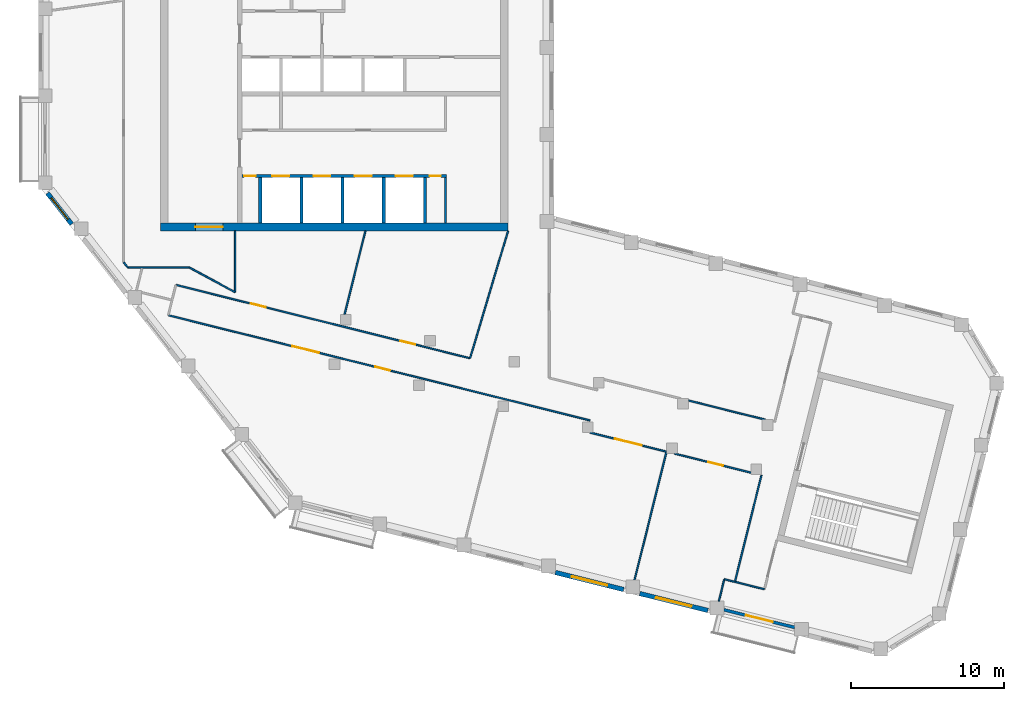
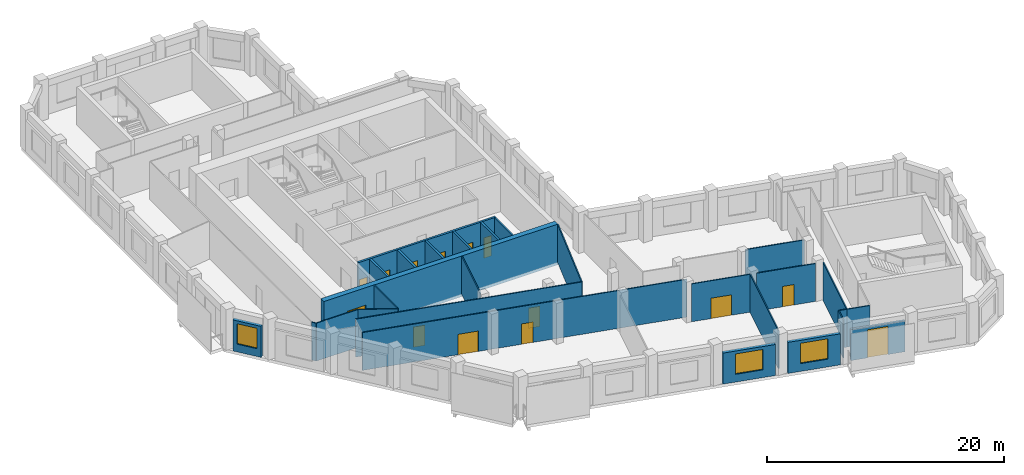
# One storey, part 3 of 8: 28 walls, 14 doors, 3 windows, 17 openings.
"""IFC4 building model written with IfcOpenShell, lengths in metres."""

from ifc_helpers import new_model, si_unit, direction, frame, frame_2d, origin, place, context, subcontext, project, spatial, rectangle, extrude, material, layer, layer_set, type_object, element, fill, save


model = new_model("IFC4")

# Units and contexts
model_context = context("Model", 3, precision=1e-05, world=origin(), true_north=direction((0.0, 1.0)))
body_context = subcontext(model_context, "Body", "Model", "MODEL_VIEW")
ifc_project = project(units=[si_unit("LENGTHUNIT", "METRE"), si_unit("AREAUNIT", "SQUARE_METRE"), si_unit("VOLUMEUNIT", "CUBIC_METRE"), si_unit("PLANEANGLEUNIT", "RADIAN"), si_unit("MASSUNIT", "GRAM", prefix="KILO")], contexts=[model_context])

# Site, building, storey
site_placement = place(None, origin())
site = spatial("IfcSite", under=ifc_project, at=site_placement, CompositionType="ELEMENT")
building_placement = place(site_placement, origin())
building = spatial("IfcBuilding", under=site, at=building_placement, Name="Meshkara Civic Tower", CompositionType="ELEMENT")
storey_placement = place(building_placement, frame((0.0, 0.0, 362.39990234375)))
storey = spatial("IfcBuildingStorey", under=building, at=storey_placement, Name="L83", CompositionType="ELEMENT", Elevation=362.39990234375)

# Wall
ifc_material_1 = material(Name="Blockwork", Category="masonry")
ifc_layer_1 = layer(ifc_material_1, 0.14990234375)
ifc_layer_set_1 = layer_set([ifc_layer_1], Name="Core partition 150")
wall_type_1 = type_object("IfcWallType", Name="Core partition 150", PredefinedType="PARTITIONING", material=ifc_layer_set_1)
wall_1_placement = place(storey_placement, frame((26.699951171875, 14.60009765625, 0.0), z_axis=(0.0, 0.0, 1.0), x_axis=(0.0, 1.0, 0.0)))
element("IfcWall", 1, at=wall_1_placement, inside=storey, type_object=wall_type_1, Name="L83-C025", PredefinedType="PARTITIONING", context=body_context, shape_type="SweptSolid", body=[
    extrude(rectangle(XDim=3.0, YDim=0.14990234375, at=frame_2d((1.5, 0.0))), origin(), (0.0, 0.0, 1.0), 3.900146484375),
])

# Wall, opening, door
ifc_material_2 = material(Name="Concrete C50", Category="concrete")
ifc_layer_2 = layer(ifc_material_2, 0.5)
ifc_layer_set_2 = layer_set([ifc_layer_2], Name="Core ring wall 500 C50")
wall_type_2 = type_object("IfcWallType", Name="Core ring wall 500 C50", PredefinedType="SHEAR", material=ifc_layer_set_2)
wall_2_placement = place(storey_placement, frame((8.0, 14.35009765625, -0.2998046875), z_axis=(0.0, 0.0, 1.0), x_axis=(1.0, 0.0, 0.0)))
wall_2 = element("IfcWall", 2, at=wall_2_placement, inside=storey, type_object=wall_type_2, Name="L83-C001", PredefinedType="SHEAR", context=body_context, shape_type="SweptSolid", body=[
    extrude(rectangle(XDim=22.800048828125, YDim=0.5, at=frame_2d((11.39990234375, 0.0))), origin(), (0.0, 0.0, 1.0), 4.199951171875),
])
opening_1_placement = place(wall_2_placement, frame((2.300048828125, 0.0, 0.300048828125)))
opening_1 = element("IfcOpeningElement", 3, at=opening_1_placement, cuts=wall_2, Name="Opening L83-K023", PredefinedType="OPENING", context=body_context, shape_type="SweptSolid", body=[
    extrude(rectangle(XDim=1.800048828125, YDim=2.10009765625, at=frame_2d((0.89990234375, 1.050048828125))), frame((0.0, 0.260009765625, 0.0), z_axis=(0.0, -1.0, 0.0), x_axis=(1.0, 0.0, 0.0)), (0.0, 0.0, 1.0), 0.52001953125),
])
ifc_material_3 = material(Name="Fire-rated door leaf in steel frame", Category="steel")
door_type_1 = type_object("IfcDoorType", Name="Core double door 1800 EI 60", OperationType="DOUBLE_DOOR_SINGLE_SWING", PredefinedType="DOOR", material=ifc_material_3)
door_1_placement = place(opening_1_placement, origin())
door_1 = element("IfcDoor", 4, at=door_1_placement, inside=storey, type_object=door_type_1, Name="L83-K023", OperationType="DOUBLE_DOOR_SINGLE_SWING", OverallHeight=2.10009765625, OverallWidth=1.800048828125, PredefinedType="DOOR", context=body_context, shape_type="SweptSolid", body=[
    extrude(rectangle(XDim=1.800048828125, YDim=2.10009765625, at=frame_2d((0.89990234375, 1.050048828125))), frame((0.0, 0.02490234375, 0.0), z_axis=(0.0, -1.0, 0.0), x_axis=(1.0, 0.0, 0.0)), (0.0, 0.0, 1.0), 0.050048828125),
])
fill(opening_1, door_1)

# Walls
ifc_material_4 = material(Name="Corridor wall 100")
ifc_layer_3 = layer(ifc_material_4, 0.10009765625)
ifc_layer_set_3 = layer_set([ifc_layer_3], Name="Corridor wall 100")
wall_type_3 = type_object("IfcWallType", Name="Corridor wall 100", PredefinedType="PARTITIONING", material=ifc_layer_set_3)
wall_3_placement = place(storey_placement, frame((5.60009765625, 12.0439453125, 0.0), z_axis=(0.0, 0.0, 1.0), x_axis=(0.614328236968, -0.789050579661, 0.0)))
element("IfcWall", 5, at=wall_3_placement, inside=storey, type_object=wall_type_3, Name="L83-W003", PredefinedType="PARTITIONING", context=body_context, shape_type="SweptSolid", body=[
    extrude(rectangle(XDim=0.43603515625, YDim=0.10009765625, at=frame_2d((0.218017578125, 0.0))), origin(), (0.0, 0.0, 1.0), 3.900146484375),
])
wall_4_placement = place(storey_placement, frame((5.867919921875, 11.699951171875, 0.0), z_axis=(0.0, 0.0, 1.0), x_axis=(1.0, 0.0, 0.0)))
element("IfcWall", 6, at=wall_4_placement, inside=storey, type_object=wall_type_3, Name="L83-W006", PredefinedType="PARTITIONING", context=body_context, shape_type="SweptSolid", body=[
    extrude(rectangle(XDim=4.031982421875, YDim=0.10009765625, at=frame_2d((2.01611328125, 0.0))), origin(), (0.0, 0.0, 1.0), 3.900146484375),
])

# Wall, openings, doors
wall_5_placement = place(storey_placement, frame((8.52099609375, 8.56689453125, 0.0), z_axis=(0.0, 0.0, 1.0), x_axis=(0.970303035129, -0.241892579506, 0.0)))
wall_5 = element("IfcWall", 7, at=wall_5_placement, inside=storey, type_object=wall_type_3, Name="L83-W007", PredefinedType="PARTITIONING", context=body_context, shape_type="SweptSolid", body=[
    extrude(rectangle(XDim=28.49951171875, YDim=0.10009765625, at=frame_2d((14.249755859375, 0.0))), origin(), (0.0, 0.0, 1.0), 3.900146484375),
])
opening_2_placement = place(wall_5_placement, frame((13.97998046875, 0.0, 0.0)))
opening_2 = element("IfcOpeningElement", 8, at=opening_2_placement, cuts=wall_5, Name="Opening L83-D003", PredefinedType="OPENING", context=body_context, shape_type="SweptSolid", body=[
    extrude(rectangle(XDim=1.0, YDim=2.10009765625, at=frame_2d((0.5, 1.050048828125))), frame((0.0, 0.06005859375, 0.0), z_axis=(0.0, -1.0, 0.0), x_axis=(1.0, 0.0, 0.0)), (0.0, 0.0, 1.0), 0.1201171875),
])
opening_3_placement = place(wall_5_placement, frame((8.3798828125, 0.0, 0.0)))
opening_3 = element("IfcOpeningElement", 9, at=opening_3_placement, cuts=wall_5, Name="Opening L83-D007", PredefinedType="OPENING", context=body_context, shape_type="SweptSolid", body=[
    extrude(rectangle(XDim=1.800048828125, YDim=2.10009765625, at=frame_2d((0.89990234375, 1.050048828125))), frame((0.0, 0.06005859375, 0.0), z_axis=(0.0, -1.0, 0.0), x_axis=(1.0, 0.0, 0.0)), (0.0, 0.0, 1.0), 0.1201171875),
])
ifc_material_5 = material(Name="Door 1000 x 2100")
door_type_2 = type_object("IfcDoorType", Name="Door 1000 x 2100", OperationType="SINGLE_SWING_LEFT", PredefinedType="DOOR", material=ifc_material_5)
door_2_placement = place(opening_2_placement, origin())
door_2 = element("IfcDoor", 10, at=door_2_placement, inside=storey, type_object=door_type_2, Name="L83-D003", OperationType="SINGLE_SWING_LEFT", OverallHeight=2.10009765625, OverallWidth=1.0, PredefinedType="DOOR", context=body_context, shape_type="SweptSolid", body=[
    extrude(rectangle(XDim=1.0, YDim=2.10009765625, at=frame_2d((0.5, 1.050048828125))), frame((0.0, 0.02490234375, 0.0), z_axis=(0.0, -1.0, 0.0), x_axis=(1.0, 0.0, 0.0)), (0.0, 0.0, 1.0), 0.050048828125),
])
fill(opening_2, door_2)
ifc_material_6 = material(Name="Door pair 1800 x 2100")
door_type_3 = type_object("IfcDoorType", Name="Door pair 1800 x 2100", OperationType="SINGLE_SWING_LEFT", PredefinedType="DOOR", material=ifc_material_6)
door_3_placement = place(opening_3_placement, origin())
door_3 = element("IfcDoor", 11, at=door_3_placement, inside=storey, type_object=door_type_3, Name="L83-D007", OperationType="DOUBLE_DOOR_SINGLE_SWING", OverallHeight=2.10009765625, OverallWidth=1.800048828125, PredefinedType="DOOR", context=body_context, shape_type="SweptSolid", body=[
    extrude(rectangle(XDim=1.800048828125, YDim=2.10009765625, at=frame_2d((0.89990234375, 1.050048828125))), frame((0.0, 0.02490234375, 0.0), z_axis=(0.0, -1.0, 0.0), x_axis=(1.0, 0.0, 0.0)), (0.0, 0.0, 1.0), 0.050048828125),
])
fill(opening_3, door_3)

wall_6_placement = place(storey_placement, frame((9.01708984375, 10.55810546875, 0.0), z_axis=(0.0, 0.0, 1.0), x_axis=(0.970286089829, -0.241960542, 0.0)))
wall_6 = element("IfcWall", 12, at=wall_6_placement, inside=storey, type_object=wall_type_3, Name="L83-W008", PredefinedType="PARTITIONING", context=body_context, shape_type="SweptSolid", body=[
    extrude(rectangle(XDim=19.87939453125, YDim=0.10009765625, at=frame_2d((9.939697265625, 0.0))), origin(), (0.0, 0.0, 1.0), 3.900146484375),
])
opening_4_placement = place(wall_6_placement, frame((5.080078125, 0.0, 0.0)))
opening_4 = element("IfcOpeningElement", 13, at=opening_4_placement, cuts=wall_6, Name="Opening L83-D006", PredefinedType="OPENING", context=body_context, shape_type="SweptSolid", body=[
    extrude(rectangle(XDim=1.0, YDim=2.10009765625, at=frame_2d((0.5, 1.050048828125))), frame((0.0, 0.06005859375, 0.0), z_axis=(0.0, -1.0, 0.0), x_axis=(1.0, 0.0, 0.0)), (0.0, 0.0, 1.0), 0.1201171875),
])
opening_5_placement = place(wall_6_placement, frame((15.18408203125, 0.0, 0.0)))
opening_5 = element("IfcOpeningElement", 14, at=opening_5_placement, cuts=wall_6, Name="Opening L83-D008", PredefinedType="OPENING", context=body_context, shape_type="SweptSolid", body=[
    extrude(rectangle(XDim=1.0, YDim=2.10009765625, at=frame_2d((0.5, 1.050048828125))), frame((0.0, 0.06005859375, 0.0), z_axis=(0.0, -1.0, 0.0), x_axis=(1.0, 0.0, 0.0)), (0.0, 0.0, 1.0), 0.1201171875),
])
door_4_placement = place(opening_4_placement, origin())
door_4 = element("IfcDoor", 15, at=door_4_placement, inside=storey, type_object=door_type_2, Name="L83-D006", OperationType="SINGLE_SWING_LEFT", OverallHeight=2.10009765625, OverallWidth=1.0, PredefinedType="DOOR", context=body_context, shape_type="SweptSolid", body=[
    extrude(rectangle(XDim=1.0, YDim=2.10009765625, at=frame_2d((0.5, 1.050048828125))), frame((0.0, 0.02490234375, 0.0), z_axis=(0.0, -1.0, 0.0), x_axis=(1.0, 0.0, 0.0)), (0.0, 0.0, 1.0), 0.050048828125),
])
fill(opening_4, door_4)
door_5_placement = place(opening_5_placement, origin())
door_5 = element("IfcDoor", 16, at=door_5_placement, inside=storey, type_object=door_type_2, Name="L83-D008", OperationType="SINGLE_SWING_RIGHT", OverallHeight=2.10009765625, OverallWidth=1.0, PredefinedType="DOOR", context=body_context, shape_type="SweptSolid", body=[
    extrude(rectangle(XDim=1.0, YDim=2.10009765625, at=frame_2d((0.5, 1.050048828125))), frame((0.0, 0.02490234375, 0.0), z_axis=(0.0, -1.0, 0.0), x_axis=(1.0, 0.0, 0.0)), (0.0, 0.0, 1.0), 0.050048828125),
])
fill(opening_5, door_5)

# Walls
wall_7_placement = place(storey_placement, frame((9.89990234375, 11.699951171875, 0.0), z_axis=(0.0, 0.0, 1.0), x_axis=(0.87965147249, -0.475618846291, 0.0)))
element("IfcWall", 17, at=wall_7_placement, inside=storey, type_object=wall_type_3, Name="L83-W010", PredefinedType="PARTITIONING", context=body_context, shape_type="SweptSolid", body=[
    extrude(rectangle(XDim=3.410400390625, YDim=0.10009765625, at=frame_2d((1.705078125, 0.0))), origin(), (0.0, 0.0, 1.0), 3.900146484375),
])
wall_8_placement = place(storey_placement, frame((12.89990234375, 10.077880859375, 0.0), z_axis=(0.0, 0.0, 1.0), x_axis=(0.0, 1.0, 0.0)))
element("IfcWall", 18, at=wall_8_placement, inside=storey, type_object=wall_type_3, Name="L83-W015", PredefinedType="PARTITIONING", context=body_context, shape_type="SweptSolid", body=[
    extrude(rectangle(XDim=4.022216796875, YDim=0.10009765625, at=frame_2d((2.01123046875, 0.0))), origin(), (0.0, 0.0, 1.0), 3.900146484375),
])
wall_9_placement = place(storey_placement, frame((30.800048828125, 14.10009765625, 0.0), z_axis=(0.0, 0.0, 1.0), x_axis=(-0.286139929679, -0.958187842045, 0.0)))
element("IfcWall", 19, at=wall_9_placement, inside=storey, type_object=wall_type_3, Name="L83-W018", PredefinedType="PARTITIONING", context=body_context, shape_type="SweptSolid", body=[
    extrude(rectangle(XDim=8.716552734375, YDim=0.10009765625, at=frame_2d((4.3583984375, 0.0))), origin(), (0.0, 0.0, 1.0), 3.900146484375),
])

# Wall, opening, door
wall_10_placement = place(storey_placement, frame((36.179931640625, 0.873046875, 0.0), z_axis=(0.0, 0.0, 1.0), x_axis=(0.970323094186, -0.241812102446, 0.0)))
wall_10 = element("IfcWall", 20, at=wall_10_placement, inside=storey, type_object=wall_type_3, Name="L83-W021", PredefinedType="PARTITIONING", context=body_context, shape_type="SweptSolid", body=[
    extrude(rectangle(XDim=5.1611328125, YDim=0.10009765625, at=frame_2d((2.58056640625, 0.0))), origin(), (0.0, 0.0, 1.0), 3.900146484375),
])
opening_6_placement = place(wall_10_placement, frame((1.679931640625, 0.0, 0.0)))
opening_6 = element("IfcOpeningElement", 21, at=opening_6_placement, cuts=wall_10, Name="Opening L83-D004", PredefinedType="OPENING", context=body_context, shape_type="SweptSolid", body=[
    extrude(rectangle(XDim=1.800048828125, YDim=2.10009765625, at=frame_2d((0.89990234375, 1.050048828125))), frame((0.0, 0.06005859375, 0.0), z_axis=(0.0, -1.0, 0.0), x_axis=(1.0, 0.0, 0.0)), (0.0, 0.0, 1.0), 0.1201171875),
])
door_6_placement = place(opening_6_placement, origin())
door_6 = element("IfcDoor", 22, at=door_6_placement, inside=storey, type_object=door_type_3, Name="L83-D004", OperationType="DOUBLE_DOOR_SINGLE_SWING", OverallHeight=2.10009765625, OverallWidth=1.800048828125, PredefinedType="DOOR", context=body_context, shape_type="SweptSolid", body=[
    extrude(rectangle(XDim=1.800048828125, YDim=2.10009765625, at=frame_2d((0.89990234375, 1.050048828125))), frame((0.0, 0.02490234375, 0.0), z_axis=(0.0, -1.0, 0.0), x_axis=(1.0, 0.0, 0.0)), (0.0, 0.0, 1.0), 0.050048828125),
])
fill(opening_6, door_6)

wall_11_placement = place(storey_placement, frame((41.712890625, -0.506103515625, 0.0), z_axis=(0.0, 0.0, 1.0), x_axis=(0.970303472342, -0.241890825708, 0.0)))
wall_11 = element("IfcWall", 23, at=wall_11_placement, inside=storey, type_object=wall_type_3, Name="L83-W023", PredefinedType="PARTITIONING", context=body_context, shape_type="SweptSolid", body=[
    extrude(rectangle(XDim=5.167724609375, YDim=0.10009765625, at=frame_2d((2.583984375, 0.0))), origin(), (0.0, 0.0, 1.0), 3.900146484375),
])
opening_7_placement = place(wall_11_placement, frame((2.280029296875, 0.0, 0.0)))
opening_7 = element("IfcOpeningElement", 24, at=opening_7_placement, cuts=wall_11, Name="Opening L83-D002", PredefinedType="OPENING", context=body_context, shape_type="SweptSolid", body=[
    extrude(rectangle(XDim=1.0, YDim=2.10009765625, at=frame_2d((0.5, 1.050048828125))), frame((0.0, 0.06005859375, 0.0), z_axis=(0.0, -1.0, 0.0), x_axis=(1.0, 0.0, 0.0)), (0.0, 0.0, 1.0), 0.1201171875),
])
door_7_placement = place(opening_7_placement, origin())
door_7 = element("IfcDoor", 25, at=door_7_placement, inside=storey, type_object=door_type_2, Name="L83-D002", OperationType="SINGLE_SWING_LEFT", OverallHeight=2.10009765625, OverallWidth=1.0, PredefinedType="DOOR", context=body_context, shape_type="SweptSolid", body=[
    extrude(rectangle(XDim=1.0, YDim=2.10009765625, at=frame_2d((0.5, 1.050048828125))), frame((0.0, 0.02490234375, 0.0), z_axis=(0.0, -1.0, 0.0), x_axis=(1.0, 0.0, 0.0)), (0.0, 0.0, 1.0), 0.050048828125),
])
fill(opening_7, door_7)

# Walls
wall_12_placement = place(storey_placement, frame((45.669921875, -8.9130859375, 0.0), z_axis=(0.0, 0.0, 1.0), x_axis=(0.970307382734, -0.241875139301, 0.0)))
element("IfcWall", 26, at=wall_12_placement, inside=storey, type_object=wall_type_3, Name="L83-W025", PredefinedType="PARTITIONING", context=body_context, shape_type="SweptSolid", body=[
    extrude(rectangle(XDim=2.00048828125, YDim=0.10009765625, at=frame_2d((1.000244140625, 0.0))), origin(), (0.0, 0.0, 1.0), 3.900146484375),
])
wall_13_placement = place(storey_placement, frame((47.412109375, -1.927001953125, 0.0), z_axis=(0.0, 0.0, 1.0), x_axis=(-0.241969116819, -0.970283951483, 0.0)))
element("IfcWall", 27, at=wall_13_placement, inside=storey, type_object=wall_type_3, Name="L83-W026", PredefinedType="PARTITIONING", context=body_context, shape_type="SweptSolid", body=[
    extrude(rectangle(XDim=7.199951171875, YDim=0.10009765625, at=frame_2d((3.60009765625, 0.0))), origin(), (0.0, 0.0, 1.0), 3.900146484375),
])
wall_14_placement = place(storey_placement, frame((47.64111328125, 1.72607421875, 0.0), z_axis=(0.0, 0.0, 1.0), x_axis=(-0.97031439286, 0.241847015712, 0.0)))
element("IfcWall", 28, at=wall_14_placement, inside=storey, type_object=wall_type_3, Name="L83-W028", PredefinedType="PARTITIONING", context=body_context, shape_type="SweptSolid", body=[
    extrude(rectangle(XDim=5.172607421875, YDim=0.10009765625, at=frame_2d((2.58642578125, 0.0))), origin(), (0.0, 0.0, 1.0), 3.900146484375),
])

# Wall, opening, window
ifc_material_7 = material(Name="Insulated infill panel with bronze anodised aluminium cladding", Category="aluminium")
ifc_layer_4 = layer(ifc_material_7, 0.300048828125)
ifc_layer_set_4 = layer_set([ifc_layer_4], Name="EXTERNAL INFILL WALL 300")
wall_type_4 = type_object("IfcWallType", Name="EXTERNAL INFILL WALL 300", PredefinedType="SOLIDWALL", material=ifc_layer_set_4)
wall_15_placement = place(storey_placement, frame((0.60205078125, 16.572998046875, 0.0), z_axis=(0.0, 0.0, 1.0), x_axis=(0.61568999437, -0.787988471256, 0.0)))
wall_15 = element("IfcWall", 29, at=wall_15_placement, inside=storey, type_object=wall_type_4, Name="External wall", PredefinedType="SOLIDWALL", context=body_context, shape_type="SweptSolid", body=[
    extrude(rectangle(XDim=2.577392578125, YDim=0.300048828125, at=frame_2d((1.28857421875, 0.0))), origin(), (0.0, 0.0, 1.0), 3.2001953125),
])
opening_8_placement = place(wall_15_placement, frame((0.387939453125, 0.0, 0.800048828125)))
opening_8 = element("IfcOpeningElement", 30, at=opening_8_placement, cuts=wall_15, Name="Opening W9", PredefinedType="OPENING", context=body_context, shape_type="SweptSolid", body=[
    extrude(rectangle(XDim=1.800048828125, YDim=2.10009765625, at=frame_2d((0.89990234375, 1.050048828125))), frame((0.0, 0.159912109375, 0.0), z_axis=(0.0, -1.0, 0.0), x_axis=(1.0, 0.0, 0.0)), (0.0, 0.0, 1.0), 0.320068359375),
])
ifc_material_8 = material(Name="Tinted double glazing", Category="glass")
window_type_1 = type_object("IfcWindowType", Name="WINDOW 1800x2100", PartitioningType="DOUBLE_PANEL_VERTICAL", PredefinedType="WINDOW", material=ifc_material_8)
window_1_placement = place(opening_8_placement, origin())
window_1 = element("IfcWindow", 31, at=window_1_placement, inside=storey, type_object=window_type_1, Name="Window", OverallHeight=2.10009765625, OverallWidth=1.800048828125, PartitioningType="DOUBLE_PANEL_VERTICAL", PredefinedType="WINDOW", context=body_context, shape_type="SweptSolid", body=[
    extrude(rectangle(XDim=1.800048828125, YDim=2.10009765625, at=frame_2d((0.89990234375, 1.050048828125))), frame((0.0, 0.030029296875, 0.0), z_axis=(0.0, -1.0, 0.0), x_axis=(1.0, 0.0, 0.0)), (0.0, 0.0, 1.0), 0.06005859375),
])
fill(opening_8, window_1)

wall_16_placement = place(storey_placement, frame((33.89990234375, -8.298095703125, 0.0), z_axis=(0.0, 0.0, 1.0), x_axis=(0.970298093093, -0.241912402618, 0.0)))
wall_16 = element("IfcWall", 32, at=wall_16_placement, inside=storey, type_object=wall_type_4, Name="External wall", PredefinedType="SOLIDWALL", context=body_context, shape_type="SweptSolid", body=[
    extrude(rectangle(XDim=4.609130859375, YDim=0.300048828125, at=frame_2d((2.3046875, 0.0))), origin(), (0.0, 0.0, 1.0), 3.2001953125),
])
opening_9_placement = place(wall_16_placement, frame((1.10498046875, 0.0, 0.800048828125)))
opening_9 = element("IfcOpeningElement", 33, at=opening_9_placement, cuts=wall_16, Name="Opening W7", PredefinedType="OPENING", context=body_context, shape_type="SweptSolid", body=[
    extrude(rectangle(XDim=2.39990234375, YDim=2.10009765625, at=frame_2d((1.199951171875, 1.050048828125))), frame((0.0, 0.159912109375, 0.0), z_axis=(0.0, -1.0, 0.0), x_axis=(1.0, 0.0, 0.0)), (0.0, 0.0, 1.0), 0.320068359375),
])
ifc_material_9 = material(Name="Tinted double glazing", Category="glass")
window_type_2 = type_object("IfcWindowType", Name="WINDOW 2400x2100", PartitioningType="DOUBLE_PANEL_VERTICAL", PredefinedType="WINDOW", material=ifc_material_9)
window_2_placement = place(opening_9_placement, origin())
window_2 = element("IfcWindow", 34, at=window_2_placement, inside=storey, type_object=window_type_2, Name="Window", OverallHeight=2.10009765625, OverallWidth=2.39990234375, PartitioningType="DOUBLE_PANEL_VERTICAL", PredefinedType="WINDOW", context=body_context, shape_type="SweptSolid", body=[
    extrude(rectangle(XDim=2.39990234375, YDim=2.10009765625, at=frame_2d((1.199951171875, 1.050048828125))), frame((0.0, 0.030029296875, 0.0), z_axis=(0.0, -1.0, 0.0), x_axis=(1.0, 0.0, 0.0)), (0.0, 0.0, 1.0), 0.06005859375),
])
fill(opening_9, window_2)

wall_17_placement = place(storey_placement, frame((39.430908203125, -9.677001953125, 0.0), z_axis=(0.0, 0.0, 1.0), x_axis=(0.970285689791, -0.241962146187, 0.0)))
wall_17 = element("IfcWall", 35, at=wall_17_placement, inside=storey, type_object=wall_type_4, Name="External wall", PredefinedType="SOLIDWALL", context=body_context, shape_type="SweptSolid", body=[
    extrude(rectangle(XDim=4.608154296875, YDim=0.300048828125, at=frame_2d((2.30419921875, 0.0))), origin(), (0.0, 0.0, 1.0), 3.2001953125),
])
opening_10_placement = place(wall_17_placement, frame((1.10400390625, 0.0, 0.800048828125)))
opening_10 = element("IfcOpeningElement", 36, at=opening_10_placement, cuts=wall_17, Name="Opening W7", PredefinedType="OPENING", context=body_context, shape_type="SweptSolid", body=[
    extrude(rectangle(XDim=2.39990234375, YDim=2.10009765625, at=frame_2d((1.199951171875, 1.050048828125))), frame((0.0, 0.159912109375, 0.0), z_axis=(0.0, -1.0, 0.0), x_axis=(1.0, 0.0, 0.0)), (0.0, 0.0, 1.0), 0.320068359375),
])
window_3_placement = place(opening_10_placement, origin())
window_3 = element("IfcWindow", 37, at=window_3_placement, inside=storey, type_object=window_type_2, Name="Window", OverallHeight=2.10009765625, OverallWidth=2.39990234375, PartitioningType="DOUBLE_PANEL_VERTICAL", PredefinedType="WINDOW", context=body_context, shape_type="SweptSolid", body=[
    extrude(rectangle(XDim=2.39990234375, YDim=2.10009765625, at=frame_2d((1.199951171875, 1.050048828125))), frame((0.0, 0.030029296875, 0.0), z_axis=(0.0, -1.0, 0.0), x_axis=(1.0, 0.0, 0.0)), (0.0, 0.0, 1.0), 0.06005859375),
])
fill(opening_10, window_3)

# Wall, opening, door
ifc_material_10 = material(Name="Insulated infill panel with bronze anodised aluminium cladding", Category="aluminium")
ifc_layer_5 = layer(ifc_material_10, 0.199951171875)
ifc_layer_set_5 = layer_set([ifc_layer_5], Name="LOGGIA BACK WALL 200")
wall_type_5 = type_object("IfcWallType", Name="LOGGIA BACK WALL 200", PredefinedType="SOLIDWALL", material=ifc_layer_set_5)
wall_18_placement = place(storey_placement, frame((44.9541015625, -10.7451171875, 0.0), z_axis=(0.0, 0.0, 1.0), x_axis=(0.970334783127, -0.241765193223, 0.0)))
wall_18 = element("IfcWall", 38, at=wall_18_placement, inside=storey, type_object=wall_type_5, Name="Loggia wall", PredefinedType="SOLIDWALL", context=body_context, shape_type="SweptSolid", body=[
    extrude(rectangle(XDim=4.7724609375, YDim=0.199951171875, at=frame_2d((2.38623046875, 0.0))), origin(), (0.0, 0.0, 1.0), 3.2001953125),
])
opening_11_placement = place(wall_18_placement, frame((1.486083984375, 0.0, 0.0)))
opening_11 = element("IfcOpeningElement", 39, at=opening_11_placement, cuts=wall_18, Name="Opening L83-L004", PredefinedType="OPENING", context=body_context, shape_type="SweptSolid", body=[
    extrude(rectangle(XDim=1.800048828125, YDim=2.89990234375, at=frame_2d((0.89990234375, 1.449951171875))), frame((0.0, 0.10986328125, 0.0), z_axis=(0.0, -1.0, 0.0), x_axis=(1.0, 0.0, 0.0)), (0.0, 0.0, 1.0), 0.219970703125),
])
ifc_material_11 = material(Name="Tinted double glazing", Category="glass")
door_type_4 = type_object("IfcDoorType", Name="LOGGIA DOOR 1800x2900", OperationType="DOUBLE_DOOR_SINGLE_SWING", PredefinedType="DOOR", material=ifc_material_11)
door_8_placement = place(opening_11_placement, origin())
door_8 = element("IfcDoor", 40, at=door_8_placement, inside=storey, type_object=door_type_4, Name="L83-L004", OperationType="DOUBLE_DOOR_SINGLE_SWING", OverallHeight=2.89990234375, OverallWidth=1.800048828125, PredefinedType="DOOR", context=body_context, shape_type="SweptSolid", body=[
    extrude(rectangle(XDim=1.800048828125, YDim=2.89990234375, at=frame_2d((0.89990234375, 1.449951171875))), frame((0.0, 0.02490234375, 0.0), z_axis=(0.0, -1.0, 0.0), x_axis=(1.0, 0.0, 0.0)), (0.0, 0.0, 1.0), 0.050048828125),
])
fill(opening_11, door_8)

# Walls
ifc_material_12 = material(Name="Partition 100")
ifc_layer_6 = layer(ifc_material_12, 0.10009765625)
ifc_layer_set_6 = layer_set([ifc_layer_6], Name="Partition 100")
wall_type_6 = type_object("IfcWallType", Name="Partition 100", PredefinedType="PARTITIONING", material=ifc_layer_set_6)
wall_19_placement = place(storey_placement, frame((20.0810546875, 8.62109375, 0.0), z_axis=(0.0, 0.0, 1.0), x_axis=(0.241904838353, 0.970299978966, 0.0)))
element("IfcWall", 41, at=wall_19_placement, inside=storey, type_object=wall_type_6, Name="L83-W037", PredefinedType="PARTITIONING", context=body_context, shape_type="SweptSolid", body=[
    extrude(rectangle(XDim=5.646728515625, YDim=0.10009765625, at=frame_2d((2.8232421875, 0.0))), origin(), (0.0, 0.0, 1.0), 3.900146484375),
])
wall_20_placement = place(storey_placement, frame((39.0859375, -8.803955078125, 0.0), z_axis=(0.0, 0.0, 1.0), x_axis=(0.241973508816, 0.970282856198, 0.0)))
element("IfcWall", 42, at=wall_20_placement, inside=storey, type_object=wall_type_6, Name="L83-W039", PredefinedType="PARTITIONING", context=body_context, shape_type="SweptSolid", body=[
    extrude(rectangle(XDim=8.68701171875, YDim=0.10009765625, at=frame_2d((4.343505859375, 0.0))), origin(), (0.0, 0.0, 1.0), 3.900146484375),
])
wall_21_placement = place(storey_placement, frame((44.616943359375, -10.18310546875, 0.0), z_axis=(0.0, 0.0, 1.0), x_axis=(0.242110761362, 0.970248617228, 0.0)))
element("IfcWall", 43, at=wall_21_placement, inside=storey, type_object=wall_type_6, Name="L83-W040", PredefinedType="PARTITIONING", context=body_context, shape_type="SweptSolid", body=[
    extrude(rectangle(XDim=1.4873046875, YDim=0.10009765625, at=frame_2d((0.74365234375, 0.0))), origin(), (0.0, 0.0, 1.0), 3.900146484375),
])
wall_22_placement = place(storey_placement, frame((44.97705078125, -8.739990234375, 0.0), z_axis=(0.0, 0.0, 1.0), x_axis=(0.970202439735, -0.242295740641, 0.0)))
element("IfcWall", 44, at=wall_22_placement, inside=storey, type_object=wall_type_6, Name="L83-W041", PredefinedType="PARTITIONING", context=body_context, shape_type="SweptSolid", body=[
    extrude(rectangle(XDim=0.718505859375, YDim=0.10009765625, at=frame_2d((0.359375, 0.0))), origin(), (0.0, 0.0, 1.0), 3.900146484375),
])

# Wall, openings, doors
ifc_material_13 = material(Name="Concrete C40/50", Category="concrete")
ifc_layer_7 = layer(ifc_material_13, 0.199951171875)
ifc_layer_set_7 = layer_set([ifc_layer_7], Name="Shaft wall 200 C40/50")
wall_type_7 = type_object("IfcWallType", Name="Shaft wall 200 C40/50", PredefinedType="SOLIDWALL", material=ifc_layer_set_7)
wall_23_placement = place(storey_placement, frame((13.35009765625, 17.699951171875, 0.0), z_axis=(0.0, 0.0, 1.0), x_axis=(1.0, 0.0, 0.0)))
wall_23 = element("IfcWall", 45, at=wall_23_placement, inside=storey, type_object=wall_type_7, Name="L83-C005", PredefinedType="SOLIDWALL", context=body_context, shape_type="SweptSolid", body=[
    extrude(rectangle(XDim=13.4248046875, YDim=0.199951171875, at=frame_2d((6.71240234375, 0.0))), origin(), (0.0, 0.0, 1.0), 3.900146484375),
])
opening_12_placement = place(wall_23_placement, frame((2.0, 0.0, 0.0)))
opening_12 = element("IfcOpeningElement", 46, at=opening_12_placement, cuts=wall_23, Name="Opening L83-K001", PredefinedType="OPENING", context=body_context, shape_type="SweptSolid", body=[
    extrude(rectangle(XDim=1.10009765625, YDim=2.10009765625, at=frame_2d((0.550048828125, 1.050048828125))), frame((0.0, 0.10986328125, 0.0), z_axis=(0.0, -1.0, 0.0), x_axis=(1.0, 0.0, 0.0)), (0.0, 0.0, 1.0), 0.219970703125),
])
opening_13_placement = place(wall_23_placement, frame((4.699951171875, 0.0, 0.0)))
opening_13 = element("IfcOpeningElement", 47, at=opening_13_placement, cuts=wall_23, Name="Opening L83-K002", PredefinedType="OPENING", context=body_context, shape_type="SweptSolid", body=[
    extrude(rectangle(XDim=1.10009765625, YDim=2.10009765625, at=frame_2d((0.550048828125, 1.050048828125))), frame((0.0, 0.10986328125, 0.0), z_axis=(0.0, -1.0, 0.0), x_axis=(1.0, 0.0, 0.0)), (0.0, 0.0, 1.0), 0.219970703125),
])
opening_14_placement = place(wall_23_placement, frame((7.39990234375, 0.0, 0.0)))
opening_14 = element("IfcOpeningElement", 48, at=opening_14_placement, cuts=wall_23, Name="Opening L83-K003", PredefinedType="OPENING", context=body_context, shape_type="SweptSolid", body=[
    extrude(rectangle(XDim=1.10009765625, YDim=2.10009765625, at=frame_2d((0.550048828125, 1.050048828125))), frame((0.0, 0.10986328125, 0.0), z_axis=(0.0, -1.0, 0.0), x_axis=(1.0, 0.0, 0.0)), (0.0, 0.0, 1.0), 0.219970703125),
])
opening_15_placement = place(wall_23_placement, frame((10.10009765625, 0.0, 0.0)))
opening_15 = element("IfcOpeningElement", 49, at=opening_15_placement, cuts=wall_23, Name="Opening L83-K004", PredefinedType="OPENING", context=body_context, shape_type="SweptSolid", body=[
    extrude(rectangle(XDim=1.10009765625, YDim=2.10009765625, at=frame_2d((0.550048828125, 1.050048828125))), frame((0.0, 0.10986328125, 0.0), z_axis=(0.0, -1.0, 0.0), x_axis=(1.0, 0.0, 0.0)), (0.0, 0.0, 1.0), 0.219970703125),
])
opening_16_placement = place(wall_23_placement, frame((0.14990234375, 0.0, 0.0)))
opening_16 = element("IfcOpeningElement", 50, at=opening_16_placement, cuts=wall_23, Name="Opening L83-K009", PredefinedType="OPENING", context=body_context, shape_type="SweptSolid", body=[
    extrude(rectangle(XDim=0.75, YDim=2.10009765625, at=frame_2d((0.375, 1.050048828125))), frame((0.0, 0.10986328125, 0.0), z_axis=(0.0, -1.0, 0.0), x_axis=(1.0, 0.0, 0.0)), (0.0, 0.0, 1.0), 0.219970703125),
])
opening_17_placement = place(wall_23_placement, frame((12.300048828125, 0.0, 0.0)))
opening_17 = element("IfcOpeningElement", 51, at=opening_17_placement, cuts=wall_23, Name="Opening L83-K010", PredefinedType="OPENING", context=body_context, shape_type="SweptSolid", body=[
    extrude(rectangle(XDim=0.75, YDim=2.10009765625, at=frame_2d((0.375, 1.050048828125))), frame((0.0, 0.10986328125, 0.0), z_axis=(0.0, -1.0, 0.0), x_axis=(1.0, 0.0, 0.0)), (0.0, 0.0, 1.0), 0.219970703125),
])
ifc_material_14 = material(Name="Timber door leaf in steel frame", Category="steel")
door_type_5 = type_object("IfcDoorType", Name="Core room door 750", OperationType="SINGLE_SWING_LEFT", PredefinedType="DOOR", material=ifc_material_14)
door_9_placement = place(opening_16_placement, origin())
door_9 = element("IfcDoor", 52, at=door_9_placement, inside=storey, type_object=door_type_5, Name="L83-K009", OperationType="SINGLE_SWING_RIGHT", OverallHeight=2.10009765625, OverallWidth=0.75, PredefinedType="DOOR", context=body_context, shape_type="SweptSolid", body=[
    extrude(rectangle(XDim=0.75, YDim=2.10009765625, at=frame_2d((0.375, 1.050048828125))), frame((0.0, 0.02490234375, 0.0), z_axis=(0.0, -1.0, 0.0), x_axis=(1.0, 0.0, 0.0)), (0.0, 0.0, 1.0), 0.050048828125),
])
fill(opening_16, door_9)
door_10_placement = place(opening_17_placement, origin())
door_10 = element("IfcDoor", 53, at=door_10_placement, inside=storey, type_object=door_type_5, Name="L83-K010", OperationType="SINGLE_SWING_RIGHT", OverallHeight=2.10009765625, OverallWidth=0.75, PredefinedType="DOOR", context=body_context, shape_type="SweptSolid", body=[
    extrude(rectangle(XDim=0.75, YDim=2.10009765625, at=frame_2d((0.375, 1.050048828125))), frame((0.0, 0.02490234375, 0.0), z_axis=(0.0, -1.0, 0.0), x_axis=(1.0, 0.0, 0.0)), (0.0, 0.0, 1.0), 0.050048828125),
])
fill(opening_17, door_10)
ifc_material_15 = material(Name="Stainless steel landing door", Category="steel")
door_type_6 = type_object("IfcDoorType", Name="Lift landing door 1100", OperationType="SLIDING_TO_LEFT", PredefinedType="DOOR", material=ifc_material_15)
door_11_placement = place(opening_12_placement, origin())
door_11 = element("IfcDoor", 54, at=door_11_placement, inside=storey, type_object=door_type_6, Name="L83-K001", OperationType="SLIDING_TO_LEFT", OverallHeight=2.10009765625, OverallWidth=1.10009765625, PredefinedType="DOOR", context=body_context, shape_type="SweptSolid", body=[
    extrude(rectangle(XDim=1.10009765625, YDim=2.10009765625, at=frame_2d((0.550048828125, 1.050048828125))), frame((0.0, 0.02490234375, 0.0), z_axis=(0.0, -1.0, 0.0), x_axis=(1.0, 0.0, 0.0)), (0.0, 0.0, 1.0), 0.050048828125),
])
fill(opening_12, door_11)
door_12_placement = place(opening_13_placement, origin())
door_12 = element("IfcDoor", 55, at=door_12_placement, inside=storey, type_object=door_type_6, Name="L83-K002", OperationType="SLIDING_TO_LEFT", OverallHeight=2.10009765625, OverallWidth=1.10009765625, PredefinedType="DOOR", context=body_context, shape_type="SweptSolid", body=[
    extrude(rectangle(XDim=1.10009765625, YDim=2.10009765625, at=frame_2d((0.550048828125, 1.050048828125))), frame((0.0, 0.02490234375, 0.0), z_axis=(0.0, -1.0, 0.0), x_axis=(1.0, 0.0, 0.0)), (0.0, 0.0, 1.0), 0.050048828125),
])
fill(opening_13, door_12)
door_13_placement = place(opening_14_placement, origin())
door_13 = element("IfcDoor", 56, at=door_13_placement, inside=storey, type_object=door_type_6, Name="L83-K003", OperationType="SLIDING_TO_LEFT", OverallHeight=2.10009765625, OverallWidth=1.10009765625, PredefinedType="DOOR", context=body_context, shape_type="SweptSolid", body=[
    extrude(rectangle(XDim=1.10009765625, YDim=2.10009765625, at=frame_2d((0.550048828125, 1.050048828125))), frame((0.0, 0.02490234375, 0.0), z_axis=(0.0, -1.0, 0.0), x_axis=(1.0, 0.0, 0.0)), (0.0, 0.0, 1.0), 0.050048828125),
])
fill(opening_14, door_13)
door_14_placement = place(opening_15_placement, origin())
door_14 = element("IfcDoor", 57, at=door_14_placement, inside=storey, type_object=door_type_6, Name="L83-K004", OperationType="SLIDING_TO_LEFT", OverallHeight=2.10009765625, OverallWidth=1.10009765625, PredefinedType="DOOR", context=body_context, shape_type="SweptSolid", body=[
    extrude(rectangle(XDim=1.10009765625, YDim=2.10009765625, at=frame_2d((0.550048828125, 1.050048828125))), frame((0.0, 0.02490234375, 0.0), z_axis=(0.0, -1.0, 0.0), x_axis=(1.0, 0.0, 0.0)), (0.0, 0.0, 1.0), 0.050048828125),
])
fill(opening_15, door_14)

# Walls
for number, where, z_axis, x_axis, name in (
    (58, (14.550048828125, 14.60009765625, 0.0), (0.0, 0.0, 1.0), (0.0, 1.0, 0.0), "L83-C012"),
    (59, (17.25, 14.60009765625, 0.0), (0.0, 0.0, 1.0), (0.0, 1.0, 0.0), "L83-C015"),
    (60, (19.949951171875, 14.60009765625, 0.0), (0.0, 0.0, 1.0), (0.0, 1.0, 0.0), "L83-C017"),
    (61, (22.64990234375, 14.60009765625, 0.0), (0.0, 0.0, 1.0), (0.0, 1.0, 0.0), "L83-C021"),
    (62, (25.35009765625, 14.60009765625, 0.0), (0.0, 0.0, 1.0), (0.0, 1.0, 0.0), "L83-C024"),
):
    element("IfcWall", number, at=place(storey_placement, frame(where, z_axis=z_axis, x_axis=x_axis)), inside=storey, type_object=wall_type_7, Name=name, PredefinedType="SOLIDWALL", context=body_context, shape_type="SweptSolid", body=[
        extrude(rectangle(XDim=3.0, YDim=0.199951171875, at=frame_2d((1.5, 0.0))), origin(), (0.0, 0.0, 1.0), 3.900146484375),
    ])

save(model, "model.ifc")
